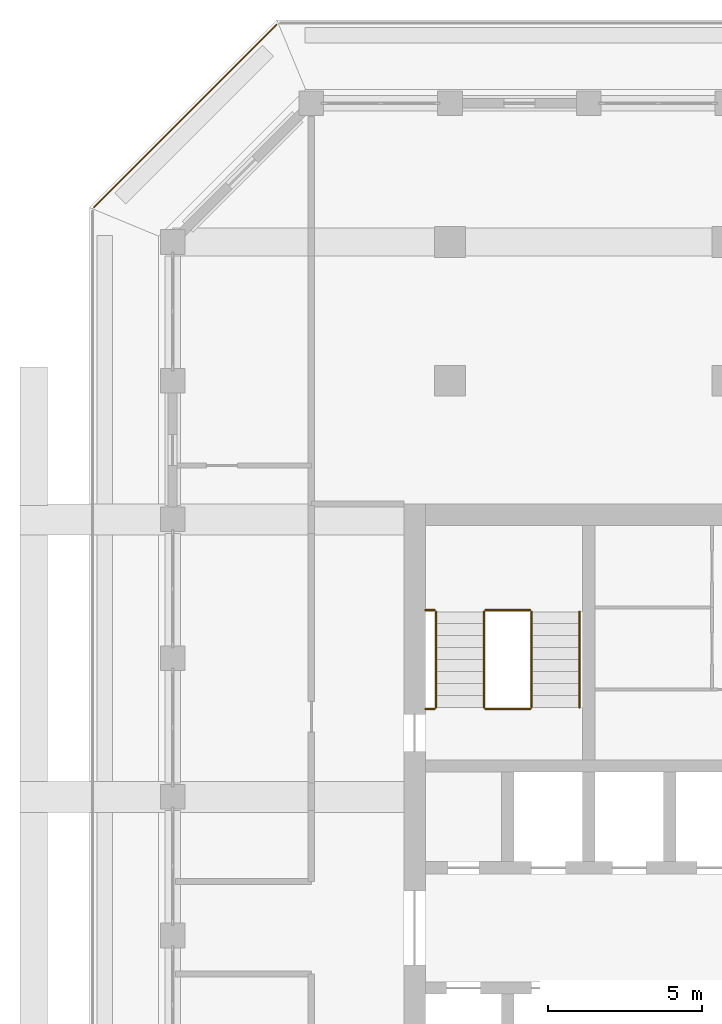
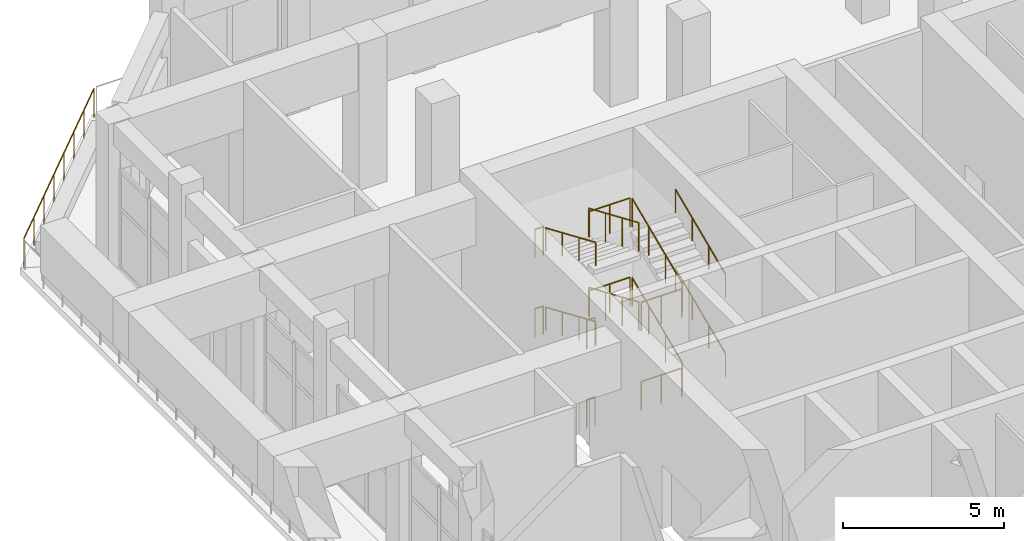
# One storey, part 22 of 25: 17 railings.
"""IFC4 building model written with IfcOpenShell, lengths in metres."""

from ifc_helpers import new_model, si_unit, direction, frame, origin, origin_2d, place, context, subcontext, project, spatial, circle, extrude, material, type_object, element, save


model = new_model("IFC4")

# Units and contexts
model_context = context("Model", 3, precision=1e-05, world=origin(), true_north=direction((0.0, 1.0)))
body_context = subcontext(model_context, "Body", "Model", "MODEL_VIEW")
ifc_project = project(units=[si_unit("LENGTHUNIT", "METRE"), si_unit("AREAUNIT", "SQUARE_METRE"), si_unit("VOLUMEUNIT", "CUBIC_METRE"), si_unit("PLANEANGLEUNIT", "RADIAN"), si_unit("MASSUNIT", "GRAM", prefix="KILO")], contexts=[model_context])

# Site, building, storey
site_placement = place(None, origin())
site = spatial("IfcSite", under=ifc_project, at=site_placement, CompositionType="ELEMENT")
building_placement = place(site_placement, origin())
building = spatial("IfcBuilding", under=site, at=building_placement, Name="Corbel Stack Research Tower", CompositionType="ELEMENT")
storey_placement = place(building_placement, frame((0.0, 0.0, 260.300048828125)))
storey = spatial("IfcBuildingStorey", under=building, at=storey_placement, Name="L59", CompositionType="ELEMENT", Elevation=260.300048828125)

# Railings
ifc_material_1 = material(Name="Steel S355", Category="steel")
railing_type_1 = type_object("IfcRailingType", Name="Stair guard 1100", PredefinedType="GUARDRAIL", material=ifc_material_1)
railing_1_placement = place(storey_placement, frame((-6.35009765625, 11.89990234375, 0.16650390625)))
element("IfcRailing", 1, at=railing_1_placement, inside=storey, type_object=railing_type_1, Name="L59 ST-W2 stair guard 1", PredefinedType="GUARDRAIL", context=body_context, shape_type="SweptSolid", body=[
    extrude(circle(Radius=0.02392578125, at=origin_2d()), frame((0.0, 0.0, 1.076171875), z_axis=(0.0, 0.918800789217, 0.394721559753), x_axis=(-1.0, 0.0, 0.0)), (0.0, 0.0, 1.0), 3.37841796875),
    extrude(circle(Radius=0.02099609375, at=origin_2d()), origin(), (0.0, 0.0, 1.0), 1.052001953125),
    extrude(circle(Radius=0.02099609375, at=origin_2d()), frame((0.0, 1.03466796875, 0.444580078125)), (0.0, 0.0, 1.0), 1.052001953125),
    extrude(circle(Radius=0.02099609375, at=origin_2d()), frame((0.0, 2.0693359375, 0.888916015625)), (0.0, 0.0, 1.0), 1.052001953125),
    extrude(circle(Radius=0.02099609375, at=origin_2d()), frame((0.0, 3.10400390625, 1.33349609375)), (0.0, 0.0, 1.0), 1.052001953125),
])
railing_2_placement = place(storey_placement, frame((-6.39990234375, 15.053955078125, 1.5)))
element("IfcRailing", 2, at=railing_2_placement, inside=storey, type_object=railing_type_1, Name="L59 ST-W2 stair guard 2", PredefinedType="GUARDRAIL", context=body_context, shape_type="SweptSolid", body=[
    extrude(circle(Radius=0.02392578125, at=origin_2d()), frame((0.0, 0.0, 1.076171875), z_axis=(-1.0, 0.0, 0.0), x_axis=(0.0, -1.0, 0.0)), (0.0, 0.0, 1.0), 1.4501953125),
    extrude(circle(Radius=0.02099609375, at=origin_2d()), origin(), (0.0, 0.0, 1.0), 1.052001953125),
    extrude(circle(Radius=0.02099609375, at=origin_2d()), frame((-0.72509765625, 0.0, 0.0)), (0.0, 0.0, 1.0), 1.052001953125),
    extrude(circle(Radius=0.02099609375, at=origin_2d()), frame((-1.4501953125, 0.0, 0.0)), (0.0, 0.0, 1.0), 1.052001953125),
])
railing_3_placement = place(storey_placement, frame((-9.5, 15.053955078125, 1.5)))
element("IfcRailing", 3, at=railing_3_placement, inside=storey, type_object=railing_type_1, Name="L59 ST-W2 stair guard 3", PredefinedType="GUARDRAIL", context=body_context, shape_type="SweptSolid", body=[
    extrude(circle(Radius=0.02392578125, at=origin_2d()), frame((0.0, 0.0, 1.076171875), z_axis=(-1.0, 0.0, 0.0), x_axis=(0.0, -1.0, 0.0)), (0.0, 0.0, 1.0), 0.300048828125),
    extrude(circle(Radius=0.02099609375, at=origin_2d()), origin(), (0.0, 0.0, 1.0), 1.052001953125),
    extrude(circle(Radius=0.02099609375, at=origin_2d()), frame((-0.300048828125, 0.0, 0.0)), (0.0, 0.0, 1.0), 1.052001953125),
])
railing_4_placement = place(storey_placement, frame((-7.89990234375, 15.00390625, 1.66650390625)))
element("IfcRailing", 4, at=railing_4_placement, inside=storey, type_object=railing_type_1, Name="L59 ST-W2 stair guard 4", PredefinedType="GUARDRAIL", context=body_context, shape_type="SweptSolid", body=[
    extrude(circle(Radius=0.02392578125, at=origin_2d()), frame((0.0, 0.0, 1.076171875), z_axis=(0.0, -0.918800789217, 0.394721559753), x_axis=(1.0, 0.0, 0.0)), (0.0, 0.0, 1.0), 3.37841796875),
    extrude(circle(Radius=0.02099609375, at=origin_2d()), origin(), (0.0, 0.0, 1.0), 1.052001953125),
    extrude(circle(Radius=0.02099609375, at=origin_2d()), frame((0.0, -1.03466796875, 0.444580078125)), (0.0, 0.0, 1.0), 1.052001953125),
    extrude(circle(Radius=0.02099609375, at=origin_2d()), frame((0.0, -2.0693359375, 0.888916015625)), (0.0, 0.0, 1.0), 1.052001953125),
    extrude(circle(Radius=0.02099609375, at=origin_2d()), frame((0.0, -3.10400390625, 1.33349609375)), (0.0, 0.0, 1.0), 1.052001953125),
])
railing_5_placement = place(storey_placement, frame((-6.39990234375, 11.85009765625, 3.0)))
element("IfcRailing", 5, at=railing_5_placement, inside=storey, type_object=railing_type_1, Name="L59 ST-W2 stair guard 5", PredefinedType="GUARDRAIL", context=body_context, shape_type="SweptSolid", body=[
    extrude(circle(Radius=0.02392578125, at=origin_2d()), frame((0.0, 0.0, 1.076171875), z_axis=(-1.0, 0.0, 0.0), x_axis=(0.0, -1.0, 0.0)), (0.0, 0.0, 1.0), 1.4501953125),
    extrude(circle(Radius=0.02099609375, at=origin_2d()), origin(), (0.0, 0.0, 1.0), 1.052001953125),
    extrude(circle(Radius=0.02099609375, at=origin_2d()), frame((-0.72509765625, 0.0, 0.0)), (0.0, 0.0, 1.0), 1.052001953125),
    extrude(circle(Radius=0.02099609375, at=origin_2d()), frame((-1.4501953125, 0.0, 0.0)), (0.0, 0.0, 1.0), 1.052001953125),
])
railing_6_placement = place(storey_placement, frame((-9.5, 11.85009765625, 3.0)))
element("IfcRailing", 6, at=railing_6_placement, inside=storey, type_object=railing_type_1, Name="L59 ST-W2 stair guard 6", PredefinedType="GUARDRAIL", context=body_context, shape_type="SweptSolid", body=[
    extrude(circle(Radius=0.02392578125, at=origin_2d()), frame((0.0, 0.0, 1.076171875), z_axis=(-1.0, 0.0, 0.0), x_axis=(0.0, -1.0, 0.0)), (0.0, 0.0, 1.0), 0.300048828125),
    extrude(circle(Radius=0.02099609375, at=origin_2d()), origin(), (0.0, 0.0, 1.0), 1.052001953125),
    extrude(circle(Radius=0.02099609375, at=origin_2d()), frame((-0.300048828125, 0.0, 0.0)), (0.0, 0.0, 1.0), 1.052001953125),
])
railing_7_placement = place(storey_placement, frame((-6.35009765625, 11.89990234375, 3.16650390625)))
element("IfcRailing", 7, at=railing_7_placement, inside=storey, type_object=railing_type_1, Name="L59 ST-W2 stair guard 7", PredefinedType="GUARDRAIL", context=body_context, shape_type="SweptSolid", body=[
    extrude(circle(Radius=0.02392578125, at=origin_2d()), frame((0.0, 0.0, 1.076171875), z_axis=(0.0, 0.918800789217, 0.394721559753), x_axis=(-1.0, 0.0, 0.0)), (0.0, 0.0, 1.0), 3.37841796875),
    extrude(circle(Radius=0.02099609375, at=origin_2d()), origin(), (0.0, 0.0, 1.0), 1.052001953125),
    extrude(circle(Radius=0.02099609375, at=origin_2d()), frame((0.0, 1.03466796875, 0.444580078125)), (0.0, 0.0, 1.0), 1.052001953125),
    extrude(circle(Radius=0.02099609375, at=origin_2d()), frame((0.0, 2.0693359375, 0.888916015625)), (0.0, 0.0, 1.0), 1.052001953125),
    extrude(circle(Radius=0.02099609375, at=origin_2d()), frame((0.0, 3.10400390625, 1.33349609375)), (0.0, 0.0, 1.0), 1.052001953125),
])
railing_8_placement = place(storey_placement, frame((-6.39990234375, 15.053955078125, 4.5)))
element("IfcRailing", 8, at=railing_8_placement, inside=storey, type_object=railing_type_1, Name="L59 ST-W2 stair guard 8", PredefinedType="GUARDRAIL", context=body_context, shape_type="SweptSolid", body=[
    extrude(circle(Radius=0.02392578125, at=origin_2d()), frame((0.0, 0.0, 1.076171875), z_axis=(-1.0, 0.0, 0.0), x_axis=(0.0, -1.0, 0.0)), (0.0, 0.0, 1.0), 1.4501953125),
    extrude(circle(Radius=0.02099609375, at=origin_2d()), origin(), (0.0, 0.0, 1.0), 1.052001953125),
    extrude(circle(Radius=0.02099609375, at=origin_2d()), frame((-0.72509765625, 0.0, 0.0)), (0.0, 0.0, 1.0), 1.052001953125),
    extrude(circle(Radius=0.02099609375, at=origin_2d()), frame((-1.4501953125, 0.0, 0.0)), (0.0, 0.0, 1.0), 1.052001953125),
])
railing_9_placement = place(storey_placement, frame((-9.5, 15.053955078125, 4.5)))
element("IfcRailing", 9, at=railing_9_placement, inside=storey, type_object=railing_type_1, Name="L59 ST-W2 stair guard 9", PredefinedType="GUARDRAIL", context=body_context, shape_type="SweptSolid", body=[
    extrude(circle(Radius=0.02392578125, at=origin_2d()), frame((0.0, 0.0, 1.076171875), z_axis=(-1.0, 0.0, 0.0), x_axis=(0.0, -1.0, 0.0)), (0.0, 0.0, 1.0), 0.300048828125),
    extrude(circle(Radius=0.02099609375, at=origin_2d()), origin(), (0.0, 0.0, 1.0), 1.052001953125),
    extrude(circle(Radius=0.02099609375, at=origin_2d()), frame((-0.300048828125, 0.0, 0.0)), (0.0, 0.0, 1.0), 1.052001953125),
])
railing_10_placement = place(storey_placement, frame((-7.89990234375, 15.00390625, 4.66650390625)))
element("IfcRailing", 10, at=railing_10_placement, inside=storey, type_object=railing_type_1, Name="L59 ST-W2 stair guard 10", PredefinedType="GUARDRAIL", context=body_context, shape_type="SweptSolid", body=[
    extrude(circle(Radius=0.02392578125, at=origin_2d()), frame((0.0, 0.0, 1.076171875), z_axis=(0.0, -0.918800789217, 0.394721559753), x_axis=(1.0, 0.0, 0.0)), (0.0, 0.0, 1.0), 3.37841796875),
    extrude(circle(Radius=0.02099609375, at=origin_2d()), origin(), (0.0, 0.0, 1.0), 1.052001953125),
    extrude(circle(Radius=0.02099609375, at=origin_2d()), frame((0.0, -1.03466796875, 0.444580078125)), (0.0, 0.0, 1.0), 1.052001953125),
    extrude(circle(Radius=0.02099609375, at=origin_2d()), frame((0.0, -2.0693359375, 0.888916015625)), (0.0, 0.0, 1.0), 1.052001953125),
    extrude(circle(Radius=0.02099609375, at=origin_2d()), frame((0.0, -3.10400390625, 1.33349609375)), (0.0, 0.0, 1.0), 1.052001953125),
])
railing_11_placement = place(storey_placement, frame((-6.39990234375, 11.85009765625, 0.0)))
element("IfcRailing", 11, at=railing_11_placement, inside=storey, type_object=railing_type_1, Name="L59 ST-W2 stair guard 11", PredefinedType="GUARDRAIL", context=body_context, shape_type="SweptSolid", body=[
    extrude(circle(Radius=0.02392578125, at=origin_2d()), frame((0.0, 0.0, 1.076171875), z_axis=(-1.0, 0.0, 0.0), x_axis=(0.0, -1.0, 0.0)), (0.0, 0.0, 1.0), 1.4501953125),
    extrude(circle(Radius=0.02099609375, at=origin_2d()), origin(), (0.0, 0.0, 1.0), 1.052001953125),
    extrude(circle(Radius=0.02099609375, at=origin_2d()), frame((-0.72509765625, 0.0, 0.0)), (0.0, 0.0, 1.0), 1.052001953125),
    extrude(circle(Radius=0.02099609375, at=origin_2d()), frame((-1.4501953125, 0.0, 0.0)), (0.0, 0.0, 1.0), 1.052001953125),
])
railing_12_placement = place(storey_placement, frame((-9.5, 11.85009765625, 0.0)))
element("IfcRailing", 12, at=railing_12_placement, inside=storey, type_object=railing_type_1, Name="L59 ST-W2 stair guard 12", PredefinedType="GUARDRAIL", context=body_context, shape_type="SweptSolid", body=[
    extrude(circle(Radius=0.02392578125, at=origin_2d()), frame((0.0, 0.0, 1.076171875), z_axis=(-1.0, 0.0, 0.0), x_axis=(0.0, -1.0, 0.0)), (0.0, 0.0, 1.0), 0.300048828125),
    extrude(circle(Radius=0.02099609375, at=origin_2d()), origin(), (0.0, 0.0, 1.0), 1.052001953125),
    extrude(circle(Radius=0.02099609375, at=origin_2d()), frame((-0.300048828125, 0.0, 0.0)), (0.0, 0.0, 1.0), 1.052001953125),
])
ifc_material_2 = material(Name="Steel S355", Category="steel")
railing_type_2 = type_object("IfcRailingType", Name="Stair handrail 900", PredefinedType="HANDRAIL", material=ifc_material_2)
railing_13_placement = place(storey_placement, frame((-4.800048828125, 11.89990234375, 0.16650390625)))
element("IfcRailing", 13, at=railing_13_placement, inside=storey, type_object=railing_type_2, Name="L59 ST-W2 stair handrail 1", PredefinedType="HANDRAIL", context=body_context, shape_type="SweptSolid", body=[
    extrude(circle(Radius=0.02392578125, at=origin_2d()), frame((0.0, 0.0, 0.8759765625), z_axis=(0.0, 0.918800789217, 0.394721559753), x_axis=(-1.0, 0.0, 0.0)), (0.0, 0.0, 1.0), 3.37841796875),
    extrude(circle(Radius=0.02099609375, at=origin_2d()), origin(), (0.0, 0.0, 1.0), 0.851806640625),
    extrude(circle(Radius=0.02099609375, at=origin_2d()), frame((0.0, 1.03466796875, 0.444580078125)), (0.0, 0.0, 1.0), 0.851806640625),
    extrude(circle(Radius=0.02099609375, at=origin_2d()), frame((0.0, 2.0693359375, 0.888916015625)), (0.0, 0.0, 1.0), 0.851806640625),
    extrude(circle(Radius=0.02099609375, at=origin_2d()), frame((0.0, 3.10400390625, 1.33349609375)), (0.0, 0.0, 1.0), 0.851806640625),
])
railing_14_placement = place(storey_placement, frame((-9.449951171875, 15.00390625, 1.66650390625)))
element("IfcRailing", 14, at=railing_14_placement, inside=storey, type_object=railing_type_2, Name="L59 ST-W2 stair handrail 2", PredefinedType="HANDRAIL", context=body_context, shape_type="SweptSolid", body=[
    extrude(circle(Radius=0.02392578125, at=origin_2d()), frame((0.0, 0.0, 0.8759765625), z_axis=(0.0, -0.918800789217, 0.394721559753), x_axis=(1.0, 0.0, 0.0)), (0.0, 0.0, 1.0), 3.37841796875),
    extrude(circle(Radius=0.02099609375, at=origin_2d()), origin(), (0.0, 0.0, 1.0), 0.851806640625),
    extrude(circle(Radius=0.02099609375, at=origin_2d()), frame((0.0, -1.03466796875, 0.444580078125)), (0.0, 0.0, 1.0), 0.851806640625),
    extrude(circle(Radius=0.02099609375, at=origin_2d()), frame((0.0, -2.0693359375, 0.888916015625)), (0.0, 0.0, 1.0), 0.851806640625),
    extrude(circle(Radius=0.02099609375, at=origin_2d()), frame((0.0, -3.10400390625, 1.33349609375)), (0.0, 0.0, 1.0), 0.851806640625),
])
railing_15_placement = place(storey_placement, frame((-4.800048828125, 11.89990234375, 3.16650390625)))
element("IfcRailing", 15, at=railing_15_placement, inside=storey, type_object=railing_type_2, Name="L59 ST-W2 stair handrail 3", PredefinedType="HANDRAIL", context=body_context, shape_type="SweptSolid", body=[
    extrude(circle(Radius=0.02392578125, at=origin_2d()), frame((0.0, 0.0, 0.8759765625), z_axis=(0.0, 0.918800789217, 0.394721559753), x_axis=(-1.0, 0.0, 0.0)), (0.0, 0.0, 1.0), 3.37841796875),
    extrude(circle(Radius=0.02099609375, at=origin_2d()), origin(), (0.0, 0.0, 1.0), 0.851806640625),
    extrude(circle(Radius=0.02099609375, at=origin_2d()), frame((0.0, 1.03466796875, 0.444580078125)), (0.0, 0.0, 1.0), 0.851806640625),
    extrude(circle(Radius=0.02099609375, at=origin_2d()), frame((0.0, 2.0693359375, 0.888916015625)), (0.0, 0.0, 1.0), 0.851806640625),
    extrude(circle(Radius=0.02099609375, at=origin_2d()), frame((0.0, 3.10400390625, 1.33349609375)), (0.0, 0.0, 1.0), 0.851806640625),
])
railing_16_placement = place(storey_placement, frame((-9.449951171875, 15.00390625, 4.66650390625)))
element("IfcRailing", 16, at=railing_16_placement, inside=storey, type_object=railing_type_2, Name="L59 ST-W2 stair handrail 4", PredefinedType="HANDRAIL", context=body_context, shape_type="SweptSolid", body=[
    extrude(circle(Radius=0.02392578125, at=origin_2d()), frame((0.0, 0.0, 0.8759765625), z_axis=(0.0, -0.918800789217, 0.394721559753), x_axis=(1.0, 0.0, 0.0)), (0.0, 0.0, 1.0), 3.37841796875),
    extrude(circle(Radius=0.02099609375, at=origin_2d()), origin(), (0.0, 0.0, 1.0), 0.851806640625),
    extrude(circle(Radius=0.02099609375, at=origin_2d()), frame((0.0, -1.03466796875, 0.444580078125)), (0.0, 0.0, 1.0), 0.851806640625),
    extrude(circle(Radius=0.02099609375, at=origin_2d()), frame((0.0, -2.0693359375, 0.888916015625)), (0.0, 0.0, 1.0), 0.851806640625),
    extrude(circle(Radius=0.02099609375, at=origin_2d()), frame((0.0, -3.10400390625, 1.33349609375)), (0.0, 0.0, 1.0), 0.851806640625),
])
ifc_material_3 = material(Name="Powder-coated steel guard", Category="steel")
railing_type_3 = type_object("IfcRailingType", Name="Steel and glass guard 1100", PredefinedType="GUARDRAIL", material=ifc_material_3)
railing_17_placement = place(storey_placement, frame((-14.627685546875, 34.04931640625, 0.0)))
element("IfcRailing", 17, at=railing_17_placement, inside=storey, type_object=railing_type_3, Name="Loggia guard L59 NW", PredefinedType="GUARDRAIL", context=body_context, shape_type="SweptSolid", body=[
    extrude(circle(Radius=0.02392578125, at=origin_2d()), frame((0.0, 0.0, 1.076171875), z_axis=(-0.707106781187, -0.707106781187, 0.0), x_axis=(0.707106781187, -0.707106781187, 0.0)), (0.0, 0.0, 1.0), 8.37451171875),
    extrude(circle(Radius=0.02099609375, at=origin_2d()), origin(), (0.0, 0.0, 1.0), 1.052001953125),
    extrude(circle(Radius=0.02099609375, at=origin_2d()), frame((-0.845947265625, -0.845947265625, 0.0)), (0.0, 0.0, 1.0), 1.052001953125),
    extrude(circle(Radius=0.02099609375, at=origin_2d()), frame((-1.69189453125, -1.69189453125, 0.0)), (0.0, 0.0, 1.0), 1.052001953125),
    extrude(circle(Radius=0.02099609375, at=origin_2d()), frame((-2.537841796875, -2.537841796875, 0.0)), (0.0, 0.0, 1.0), 1.052001953125),
    extrude(circle(Radius=0.02099609375, at=origin_2d()), frame((-3.3837890625, -3.3837890625, 0.0)), (0.0, 0.0, 1.0), 1.052001953125),
    extrude(circle(Radius=0.02099609375, at=origin_2d()), frame((-4.229736328125, -4.229736328125, 0.0)), (0.0, 0.0, 1.0), 1.052001953125),
    extrude(circle(Radius=0.02099609375, at=origin_2d()), frame((-5.07568359375, -5.07568359375, 0.0)), (0.0, 0.0, 1.0), 1.052001953125),
    extrude(circle(Radius=0.02099609375, at=origin_2d()), frame((-5.921630859375, -5.921630859375, 0.0)), (0.0, 0.0, 1.0), 1.052001953125),
])

save(model, "model.ifc")
